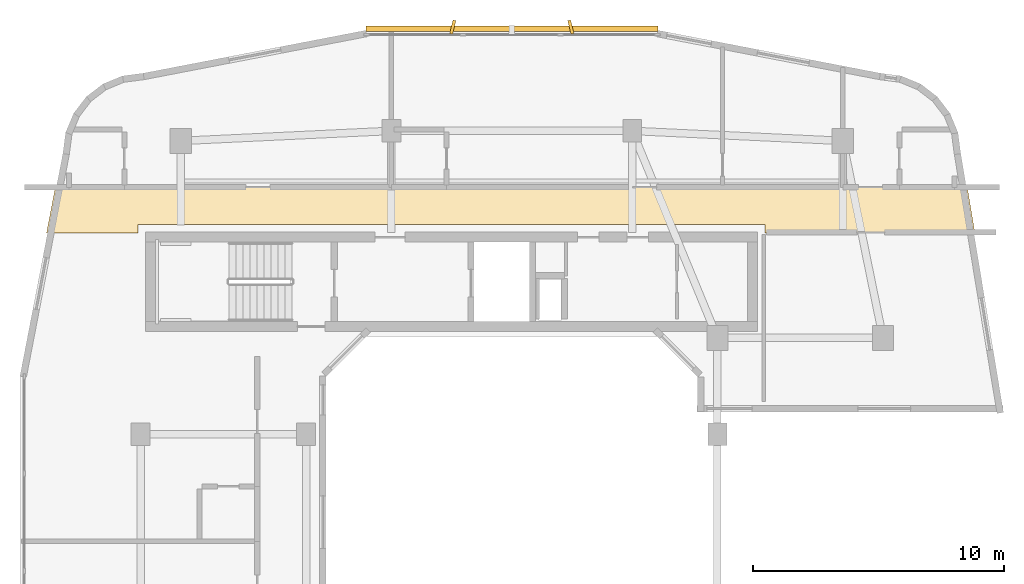
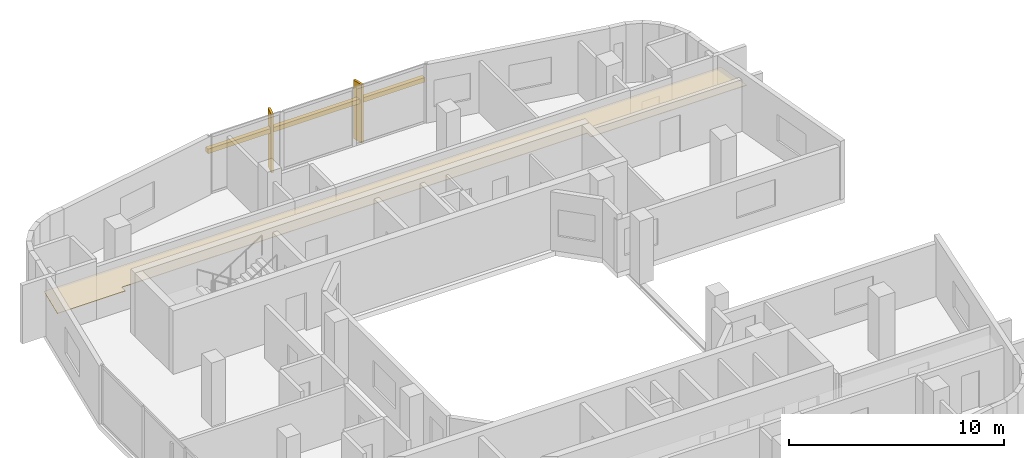
# One storey, part 12 of 12: 3 shading devices, 1 covering.
"""IFC4 building model written with IfcOpenShell, lengths in metres."""

from ifc_helpers import new_model, si_unit, derived_unit, direction, frame, origin, origin_2d, place, context, subcontext, project, spatial, polyline, rectangle, outline, extrude, material, layer, layer_set, type_object, element, save


model = new_model("IFC4")

# Units and contexts
model_context = context("Model", 3, precision=1e-05, world=origin(), true_north=direction((0.0, 1.0)))
body_context = subcontext(model_context, "Body", "Model", "MODEL_VIEW")
ifc_project = project(units=[si_unit("LENGTHUNIT", "METRE"), si_unit("AREAUNIT", "SQUARE_METRE"), si_unit("VOLUMEUNIT", "CUBIC_METRE"), si_unit("PLANEANGLEUNIT", "RADIAN"), si_unit("MASSUNIT", "GRAM", prefix="KILO"), derived_unit("THERMALTRANSMITTANCEUNIT", [(si_unit("POWERUNIT", "WATT"), 1), (si_unit("LENGTHUNIT", "METRE"), -2), (si_unit("THERMODYNAMICTEMPERATUREUNIT", "KELVIN"), -1)])], contexts=[model_context])

# Site, building, storey
site_placement = place(None, origin())
site = spatial("IfcSite", under=ifc_project, at=site_placement, CompositionType="ELEMENT")
building_placement = place(site_placement, origin())
building = spatial("IfcBuilding", under=site, at=building_placement, Name="Kivonza Crest Hotel", CompositionType="ELEMENT")
storey_placement = place(building_placement, frame((0.0, 0.0, 188.300048828125)))
storey = spatial("IfcBuildingStorey", under=building, at=storey_placement, Name="L51", CompositionType="ELEMENT", Elevation=188.300048828125)

# Covering
ifc_material_1 = material(Name="Moisture-resistant gypsum plasterboard ceiling", Category="gypsum")
ifc_layer = layer(ifc_material_1, 0.030029296875)
ifc_layer_set = layer_set([ifc_layer], Name="Moisture-resistant gypsum plasterboard ceiling")
covering_type = type_object("IfcCoveringType", Name="CV-CEIL-GYP", PredefinedType="CEILING", material=ifc_layer_set)
covering_placement = place(storey_placement, frame((0.0, 0.0, 2.449951171875)))
element("IfcCovering", 1, at=covering_placement, inside=storey, type_object=covering_type, Name="L51 Hotel North Guest Corridor suspended ceiling", PredefinedType="CEILING", context=body_context, shape_type="SweptSolid", body=[
    extrude(outline(polyline([(2.806884765625, 38.389892578125), (2.447021484375, 36.52001953125), (6.10009765625, 36.52001953125), (6.10009765625, 36.860107421875), (31.10009765625, 36.860107421875), (31.10009765625, 36.52001953125), (39.465087890625, 36.52001953125), (39.156982421875, 38.389892578125), (2.806884765625, 38.389892578125)])), origin(), (0.0, 0.0, 1.0), 0.030029296875),
])

# Shading devices
ifc_material_2 = material(Name="Kiln-fired Nairobi red-ochre terracotta", Category="masonry")
shading_device_type_1 = type_object("IfcShadingDeviceType", Name="SH-BAGUETTE-300", PredefinedType="USERDEFINED", material=ifc_material_2)
shading_device_placement = place(storey_placement, frame((21.0, 44.679931640625, 2.19384765625), z_axis=(0.0, 0.0, 1.0), x_axis=(-1.0, 0.0, 0.0)))
element("IfcShadingDevice", 2, at=shading_device_placement, inside=storey, type_object=shading_device_type_1, Name="L51 terracotta baguette screen CW-T1-L51-36", ObjectType="BAGUETTE", PredefinedType="USERDEFINED", context=body_context, shape_type="SweptSolid", body=[
    extrude(rectangle(XDim=11.639892578125, YDim=0.219970703125, at=origin_2d()), origin(), (0.0, 0.0, 1.0), 0.260009765625),
])
ifc_material_3 = material(Name="Kiln-fired terracotta over extruded aluminium spine", Category="masonry")
shading_device_type_2 = type_object("IfcShadingDeviceType", Name="SH-FIN-550", PredefinedType="USERDEFINED", material=ifc_material_3)
for number, where, z_axis, x_axis, name in (
    (3, (23.35205078125, 44.739990234375, 0.0), (0.0, 0.0, 1.0), (-0.970295726276, -0.2419218956, 0.0), "L51 vertical solar shading fin CW-T1-L51-36-1"),
    (4, (18.64794921875, 44.739990234375, 0.0), (0.0, 0.0, 1.0), (-0.970295726276, 0.2419218956, 0.0), "L51 vertical solar shading fin CW-T1-L51-36-2"),
):
    element("IfcShadingDevice", number, at=place(storey_placement, frame(where, z_axis=z_axis, x_axis=x_axis)), inside=storey, type_object=shading_device_type_2, Name=name, ObjectType="FIN", PredefinedType="USERDEFINED", context=body_context, shape_type="SweptSolid", body=[
        extrude(rectangle(XDim=0.1201171875, YDim=0.550048828125, at=origin_2d()), origin(), (0.0, 0.0, 1.0), 3.320068359375),
    ])

save(model, "model.ifc")
